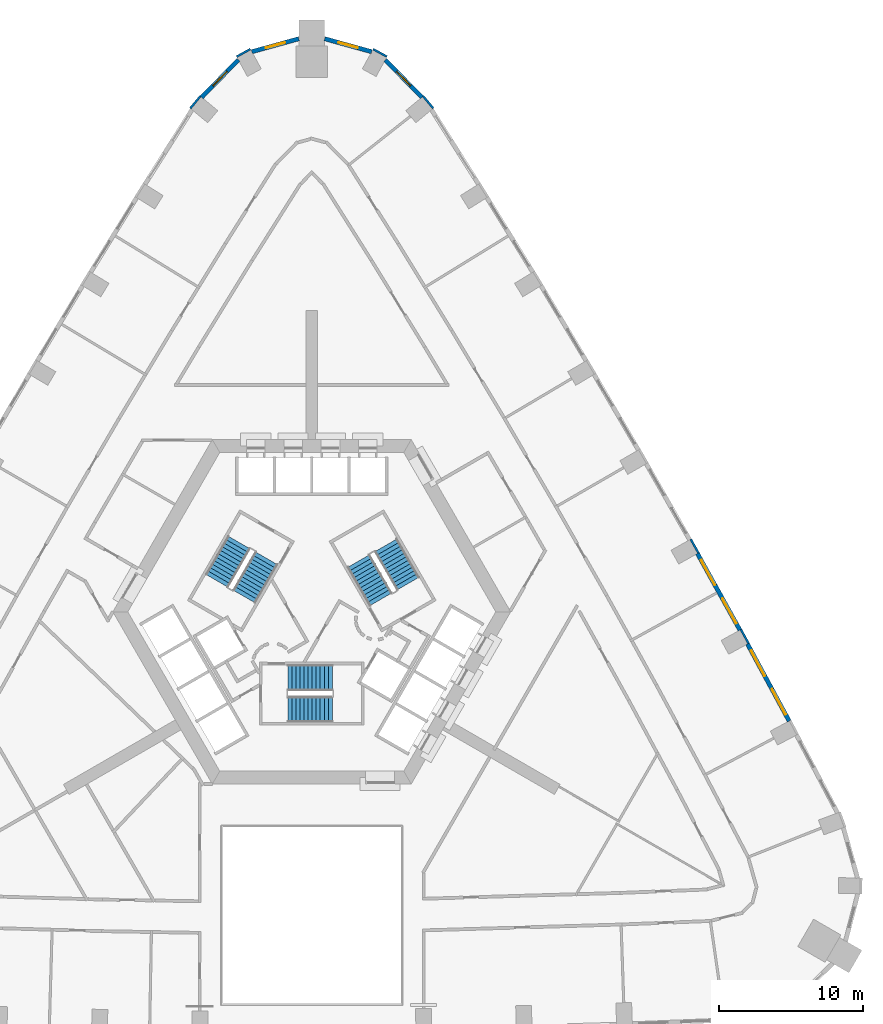
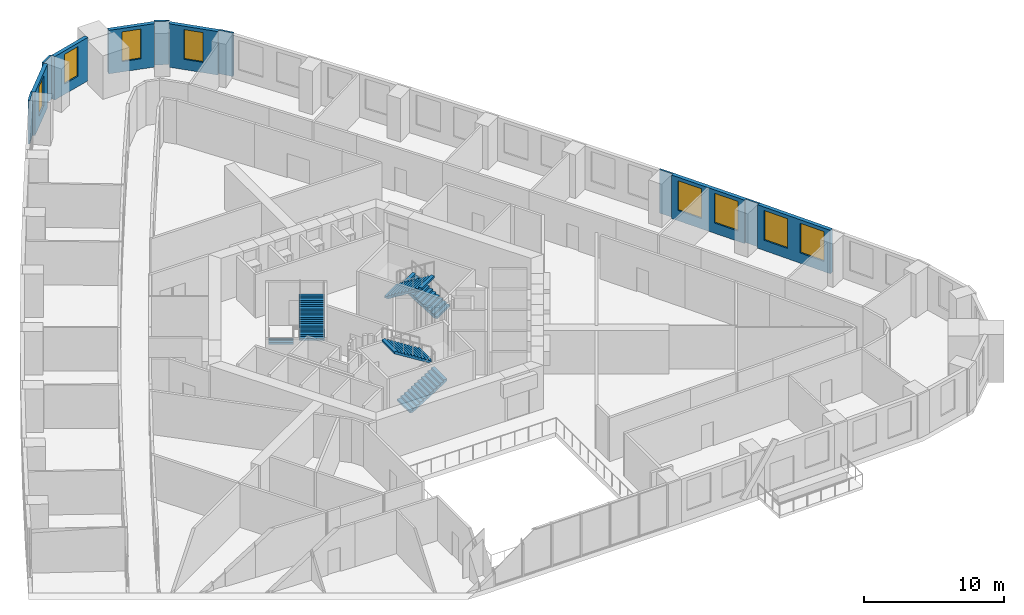
# One storey, part 12 of 14: 12 walls, 8 windows, 6 stair flights, 8 openings, 3 elements without a shape of their own.
"""IFC4 building model written with IfcOpenShell, lengths in metres."""

from ifc_helpers import new_model, si_unit, direction, frame, frame_2d, origin, place, context, subcontext, project, spatial, polyline, rectangle, outline, extrude, material, layer, layer_set, type_object, element, fill, aggregate, save


model = new_model("IFC4")

# Units and contexts
model_context = context("Model", 3, precision=1e-05, world=origin(), true_north=direction((0.0, 1.0)))
body_context = subcontext(model_context, "Body", "Model", "MODEL_VIEW")
ifc_project = project(units=[si_unit("LENGTHUNIT", "METRE"), si_unit("AREAUNIT", "SQUARE_METRE"), si_unit("VOLUMEUNIT", "CUBIC_METRE"), si_unit("PLANEANGLEUNIT", "RADIAN"), si_unit("MASSUNIT", "GRAM", prefix="KILO")], contexts=[model_context])

# Site, building, storey
site_placement = place(None, origin())
site = spatial("IfcSite", under=ifc_project, at=site_placement, CompositionType="ELEMENT")
building_placement = place(site_placement, origin())
building = spatial("IfcBuilding", under=site, at=building_placement, Name="Entoto Arch Interchange Tower", CompositionType="ELEMENT")
storey_placement = place(building_placement, frame((0.0, 0.0, 103.39990234375)))
storey = spatial("IfcBuildingStorey", under=building, at=storey_placement, Name="L22", CompositionType="ELEMENT", Elevation=103.39990234375)

# Wall, openings, windows
ifc_material_1 = material(Name="Welded tuff (ignimbrite) cladding, warm buff", Category="masonry")
ifc_layer_1 = layer(ifc_material_1, 0.300048828125)
ifc_layer_set_1 = layer_set([ifc_layer_1], Name="Welded tuff (ignimbrite) cladding, warm buff")
wall_type_1 = type_object("IfcWallType", Name="STONE INFILL WALL 300", PredefinedType="STANDARD", material=ifc_layer_set_1)
wall_1_placement = place(storey_placement, frame((33.260009765625, -5.10791015625, 0.0), z_axis=(0.0, 0.0, 1.0), x_axis=(-0.475573079782, 0.879676216449, 0.0)))
wall_1 = element("IfcWall", 1, at=wall_1_placement, inside=storey, type_object=wall_type_1, Name="Facade wall NE-02 L22", PredefinedType="STANDARD", context=body_context, shape_type="SweptSolid", body=[
    extrude(rectangle(XDim=6.1044921875, YDim=0.300048828125, at=frame_2d((3.05224609375, 0.0))), origin(), (0.0, 0.0, 1.0), 3.800048828125),
])
opening_1_placement = place(wall_1_placement, frame((0.52587890625, 0.0, 0.89990234375)))
opening_1 = element("IfcOpeningElement", 2, at=opening_1_placement, cuts=wall_1, Name="Opening WO-C", PredefinedType="OPENING", context=body_context, shape_type="SweptSolid", body=[
    extrude(rectangle(XDim=2.0, YDim=2.60009765625, at=frame_2d((1.0, 1.300048828125))), frame((0.0, 0.16015625, 0.0), z_axis=(0.0, -1.0, 0.0), x_axis=(1.0, 0.0, 0.0)), (0.0, 0.0, 1.0), 0.320068359375),
])
opening_2_placement = place(wall_1_placement, frame((3.577880859375, 0.0, 0.89990234375)))
opening_2 = element("IfcOpeningElement", 3, at=opening_2_placement, cuts=wall_1, Name="Opening WO-C", PredefinedType="OPENING", context=body_context, shape_type="SweptSolid", body=[
    extrude(rectangle(XDim=2.0, YDim=2.60009765625, at=frame_2d((1.0, 1.300048828125))), frame((0.0, 0.16015625, 0.0), z_axis=(0.0, -1.0, 0.0), x_axis=(1.0, 0.0, 0.0)), (0.0, 0.0, 1.0), 0.320068359375),
])
ifc_material_2 = material(Name="Clear glass, low-e double glazed", Category="glass")
window_type_1 = type_object("IfcWindowType", Name="WINDOW WO-C 2000x2600", PartitioningType="DOUBLE_PANEL_VERTICAL", PredefinedType="WINDOW", material=ifc_material_2)
window_1_placement = place(opening_1_placement, origin())
window_1 = element("IfcWindow", 4, at=window_1_placement, inside=storey, type_object=window_type_1, Name="Window WO-C NE-02 L22", OverallHeight=2.60009765625, OverallWidth=2.0, PartitioningType="SINGLE_PANEL", PredefinedType="WINDOW", context=body_context, shape_type="SweptSolid", body=[
    extrude(rectangle(XDim=2.0, YDim=2.60009765625, at=frame_2d((1.0, 1.300048828125))), frame((0.0, 0.030029296875, 0.0), z_axis=(0.0, -1.0, 0.0), x_axis=(1.0, 0.0, 0.0)), (0.0, 0.0, 1.0), 0.06005859375),
])
fill(opening_1, window_1)
window_2_placement = place(opening_2_placement, origin())
window_2 = element("IfcWindow", 5, at=window_2_placement, inside=storey, type_object=window_type_1, Name="Window WO-C NE-02 L22", OverallHeight=2.60009765625, OverallWidth=2.0, PartitioningType="SINGLE_PANEL", PredefinedType="WINDOW", context=body_context, shape_type="SweptSolid", body=[
    extrude(rectangle(XDim=2.0, YDim=2.60009765625, at=frame_2d((1.0, 1.300048828125))), frame((0.0, 0.030029296875, 0.0), z_axis=(0.0, -1.0, 0.0), x_axis=(1.0, 0.0, 0.0)), (0.0, 0.0, 1.0), 0.06005859375),
])
fill(opening_2, window_2)

wall_2_placement = place(storey_placement, frame((29.830078125, 1.22509765625, 0.0), z_axis=(0.0, 0.0, 1.0), x_axis=(-0.485170774404, 0.874419418623, 0.0)))
wall_2 = element("IfcWall", 6, at=wall_2_placement, inside=storey, type_object=wall_type_1, Name="Facade wall NE-03 L22", PredefinedType="STANDARD", context=body_context, shape_type="SweptSolid", body=[
    extrude(rectangle(XDim=6.103271484375, YDim=0.300048828125, at=frame_2d((3.0517578125, 0.0))), origin(), (0.0, 0.0, 1.0), 3.800048828125),
])
opening_3_placement = place(wall_2_placement, frame((0.52587890625, 0.0, 0.89990234375)))
opening_3 = element("IfcOpeningElement", 7, at=opening_3_placement, cuts=wall_2, Name="Opening WO-C", PredefinedType="OPENING", context=body_context, shape_type="SweptSolid", body=[
    extrude(rectangle(XDim=2.0, YDim=2.60009765625, at=frame_2d((1.0, 1.300048828125))), frame((0.0, 0.16015625, 0.0), z_axis=(0.0, -1.0, 0.0), x_axis=(1.0, 0.0, 0.0)), (0.0, 0.0, 1.0), 0.320068359375),
])
opening_4_placement = place(wall_2_placement, frame((3.577880859375, 0.0, 0.89990234375)))
opening_4 = element("IfcOpeningElement", 8, at=opening_4_placement, cuts=wall_2, Name="Opening WO-C", PredefinedType="OPENING", context=body_context, shape_type="SweptSolid", body=[
    extrude(rectangle(XDim=2.0, YDim=2.60009765625, at=frame_2d((1.0, 1.300048828125))), frame((0.0, 0.16015625, 0.0), z_axis=(0.0, -1.0, 0.0), x_axis=(1.0, 0.0, 0.0)), (0.0, 0.0, 1.0), 0.320068359375),
])
window_3_placement = place(opening_3_placement, origin())
window_3 = element("IfcWindow", 9, at=window_3_placement, inside=storey, type_object=window_type_1, Name="Window WO-C NE-03 L22", OverallHeight=2.60009765625, OverallWidth=2.0, PartitioningType="SINGLE_PANEL", PredefinedType="WINDOW", context=body_context, shape_type="SweptSolid", body=[
    extrude(rectangle(XDim=2.0, YDim=2.60009765625, at=frame_2d((1.0, 1.300048828125))), frame((0.0, 0.030029296875, 0.0), z_axis=(0.0, -1.0, 0.0), x_axis=(1.0, 0.0, 0.0)), (0.0, 0.0, 1.0), 0.06005859375),
])
fill(opening_3, window_3)
window_4_placement = place(opening_4_placement, origin())
window_4 = element("IfcWindow", 10, at=window_4_placement, inside=storey, type_object=window_type_1, Name="Window WO-C NE-03 L22", OverallHeight=2.60009765625, OverallWidth=2.0, PartitioningType="SINGLE_PANEL", PredefinedType="WINDOW", context=body_context, shape_type="SweptSolid", body=[
    extrude(rectangle(XDim=2.0, YDim=2.60009765625, at=frame_2d((1.0, 1.300048828125))), frame((0.0, 0.030029296875, 0.0), z_axis=(0.0, -1.0, 0.0), x_axis=(1.0, 0.0, 0.0)), (0.0, 0.0, 1.0), 0.06005859375),
])
fill(opening_4, window_4)

# Wall, opening, window
wall_3_placement = place(storey_placement, frame((7.66796875, 38.343017578125, 0.0), z_axis=(0.0, 0.0, 1.0), x_axis=(-0.698695735804, 0.715418946331, 0.0)))
wall_3 = element("IfcWall", 11, at=wall_3_placement, inside=storey, type_object=wall_type_1, Name="Facade wall N-01 L22", PredefinedType="STANDARD", context=body_context, shape_type="SweptSolid", body=[
    extrude(rectangle(XDim=3.649658203125, YDim=0.300048828125, at=frame_2d((1.82470703125, 0.0))), origin(), (0.0, 0.0, 1.0), 3.800048828125),
])
opening_5_placement = place(wall_3_placement, frame((1.125, 0.0, 0.89990234375)))
opening_5 = element("IfcOpeningElement", 12, at=opening_5_placement, cuts=wall_3, Name="Opening WO-B", PredefinedType="OPENING", context=body_context, shape_type="SweptSolid", body=[
    extrude(rectangle(XDim=1.39990234375, YDim=2.60009765625, at=frame_2d((0.699951171875, 1.300048828125))), frame((0.0, 0.16015625, 0.0), z_axis=(0.0, -1.0, 0.0), x_axis=(1.0, 0.0, 0.0)), (0.0, 0.0, 1.0), 0.320068359375),
])
window_type_2 = type_object("IfcWindowType", Name="WINDOW WO-B 1400x2600", PartitioningType="DOUBLE_PANEL_VERTICAL", PredefinedType="WINDOW", material=ifc_material_2)
window_5_placement = place(opening_5_placement, origin())
window_5 = element("IfcWindow", 13, at=window_5_placement, inside=storey, type_object=window_type_2, Name="Window WO-B N-01 L22", OverallHeight=2.60009765625, OverallWidth=1.39990234375, PartitioningType="SINGLE_PANEL", PredefinedType="WINDOW", context=body_context, shape_type="SweptSolid", body=[
    extrude(rectangle(XDim=1.39990234375, YDim=2.60009765625, at=frame_2d((0.699951171875, 1.300048828125))), frame((0.0, 0.030029296875, 0.0), z_axis=(0.0, -1.0, 0.0), x_axis=(1.0, 0.0, 0.0)), (0.0, 0.0, 1.0), 0.06005859375),
])
fill(opening_5, window_5)

wall_4_placement = place(storey_placement, frame((4.175048828125, 41.51708984375, 0.0), z_axis=(0.0, 0.0, 1.0), x_axis=(-0.963822898894, 0.266543466562, 0.0)))
wall_4 = element("IfcWall", 14, at=wall_4_placement, inside=storey, type_object=wall_type_1, Name="Facade wall N-02 L22", PredefinedType="STANDARD", context=body_context, shape_type="SweptSolid", body=[
    extrude(rectangle(XDim=3.399169921875, YDim=0.300048828125, at=frame_2d((1.69970703125, 0.0))), origin(), (0.0, 0.0, 1.0), 3.800048828125),
])
opening_6_placement = place(wall_4_placement, frame((0.9990234375, 0.0, 0.89990234375)))
opening_6 = element("IfcOpeningElement", 15, at=opening_6_placement, cuts=wall_4, Name="Opening WO-B", PredefinedType="OPENING", context=body_context, shape_type="SweptSolid", body=[
    extrude(rectangle(XDim=1.39990234375, YDim=2.60009765625, at=frame_2d((0.699951171875, 1.300048828125))), frame((0.0, 0.16015625, 0.0), z_axis=(0.0, -1.0, 0.0), x_axis=(1.0, 0.0, 0.0)), (0.0, 0.0, 1.0), 0.320068359375),
])
window_6_placement = place(opening_6_placement, origin())
window_6 = element("IfcWindow", 16, at=window_6_placement, inside=storey, type_object=window_type_2, Name="Window WO-B N-02 L22", OverallHeight=2.60009765625, OverallWidth=1.39990234375, PartitioningType="SINGLE_PANEL", PredefinedType="WINDOW", context=body_context, shape_type="SweptSolid", body=[
    extrude(rectangle(XDim=1.39990234375, YDim=2.60009765625, at=frame_2d((0.699951171875, 1.300048828125))), frame((0.0, 0.030029296875, 0.0), z_axis=(0.0, -1.0, 0.0), x_axis=(1.0, 0.0, 0.0)), (0.0, 0.0, 1.0), 0.06005859375),
])
fill(opening_6, window_6)

wall_5_placement = place(storey_placement, frame((-0.89892578125, 42.423095703125, 0.0), z_axis=(0.0, 0.0, 1.0), x_axis=(-0.963822898894, -0.266543466562, 0.0)))
wall_5 = element("IfcWall", 17, at=wall_5_placement, inside=storey, type_object=wall_type_1, Name="Facade wall N-03 L22", PredefinedType="STANDARD", context=body_context, shape_type="SweptSolid", body=[
    extrude(rectangle(XDim=3.399169921875, YDim=0.300048828125, at=frame_2d((1.69970703125, 0.0))), origin(), (0.0, 0.0, 1.0), 3.800048828125),
])
opening_7_placement = place(wall_5_placement, frame((0.9990234375, 0.0, 0.89990234375)))
opening_7 = element("IfcOpeningElement", 18, at=opening_7_placement, cuts=wall_5, Name="Opening WO-B", PredefinedType="OPENING", context=body_context, shape_type="SweptSolid", body=[
    extrude(rectangle(XDim=1.39990234375, YDim=2.60009765625, at=frame_2d((0.699951171875, 1.300048828125))), frame((0.0, 0.16015625, 0.0), z_axis=(0.0, -1.0, 0.0), x_axis=(1.0, 0.0, 0.0)), (0.0, 0.0, 1.0), 0.320068359375),
])
window_7_placement = place(opening_7_placement, origin())
window_7 = element("IfcWindow", 19, at=window_7_placement, inside=storey, type_object=window_type_2, Name="Window WO-B N-03 L22", OverallHeight=2.60009765625, OverallWidth=1.39990234375, PartitioningType="SINGLE_PANEL", PredefinedType="WINDOW", context=body_context, shape_type="SweptSolid", body=[
    extrude(rectangle(XDim=1.39990234375, YDim=2.60009765625, at=frame_2d((0.699951171875, 1.300048828125))), frame((0.0, 0.030029296875, 0.0), z_axis=(0.0, -1.0, 0.0), x_axis=(1.0, 0.0, 0.0)), (0.0, 0.0, 1.0), 0.06005859375),
])
fill(opening_7, window_7)

wall_6_placement = place(storey_placement, frame((-5.117919921875, 40.9541015625, 0.0), z_axis=(0.0, 0.0, 1.0), x_axis=(-0.698695735804, -0.715418946331, 0.0)))
wall_6 = element("IfcWall", 20, at=wall_6_placement, inside=storey, type_object=wall_type_1, Name="Facade wall N-04 L22", PredefinedType="STANDARD", context=body_context, shape_type="SweptSolid", body=[
    extrude(rectangle(XDim=3.649658203125, YDim=0.300048828125, at=frame_2d((1.82470703125, 0.0))), origin(), (0.0, 0.0, 1.0), 3.800048828125),
])
opening_8_placement = place(wall_6_placement, frame((1.125, 0.0, 0.89990234375)))
opening_8 = element("IfcOpeningElement", 21, at=opening_8_placement, cuts=wall_6, Name="Opening WO-B", PredefinedType="OPENING", context=body_context, shape_type="SweptSolid", body=[
    extrude(rectangle(XDim=1.39990234375, YDim=2.60009765625, at=frame_2d((0.699951171875, 1.300048828125))), frame((0.0, 0.16015625, 0.0), z_axis=(0.0, -1.0, 0.0), x_axis=(1.0, 0.0, 0.0)), (0.0, 0.0, 1.0), 0.320068359375),
])
window_8_placement = place(opening_8_placement, origin())
window_8 = element("IfcWindow", 22, at=window_8_placement, inside=storey, type_object=window_type_2, Name="Window WO-B N-04 L22", OverallHeight=2.60009765625, OverallWidth=1.39990234375, PartitioningType="SINGLE_PANEL", PredefinedType="WINDOW", context=body_context, shape_type="SweptSolid", body=[
    extrude(rectangle(XDim=1.39990234375, YDim=2.60009765625, at=frame_2d((0.699951171875, 1.300048828125))), frame((0.0, 0.030029296875, 0.0), z_axis=(0.0, -1.0, 0.0), x_axis=(1.0, 0.0, 0.0)), (0.0, 0.0, 1.0), 0.06005859375),
])
fill(opening_8, window_8)

# Walls
ifc_layer_2 = layer(ifc_material_1, 0.14990234375)
ifc_layer_set_2 = layer_set([ifc_layer_2], Name="Welded tuff (ignimbrite) cladding, warm buff")
wall_type_2 = type_object("IfcWallType", Name="STONE PIER CLADDING 150", PredefinedType="STANDARD", material=ifc_layer_set_2)
for number, where, z_axis, x_axis, name in (
    (23, (5.239013671875, 41.172119140625, 0.0), (0.0, 0.0, 1.0), (-0.877556336627, 0.479473540507, 0.0), "Stone pier N1 L22"),
    (24, (-4.27294921875, 41.699951171875, 0.0), (0.0, 0.0, 1.0), (-0.877556336627, -0.479473540507, 0.0), "Stone pier N3 L22"),
    (25, (30.426025390625, 0.298095703125, 0.0), (0.0, 0.0, 1.0), (-0.479737645119, 0.877411985247, 0.0), "Stone pier NE03 L22"),
):
    element("IfcWall", number, at=place(storey_placement, frame(where, z_axis=z_axis, x_axis=x_axis)), inside=storey, type_object=wall_type_2, Name=name, PredefinedType="STANDARD", context=body_context, shape_type="SweptSolid", body=[
        extrude(rectangle(XDim=1.100830078125, YDim=0.14990234375, at=frame_2d((0.55029296875, 0.0))), origin(), (0.0, 0.0, 1.0), 3.800048828125),
    ])
wall_7_placement = place(storey_placement, frame((26.93701171875, 6.60009765625, 0.0), z_axis=(0.0, 0.0, 1.0), x_axis=(-0.490008344094, 0.871717742574, 0.0)))
element("IfcWall", 26, at=wall_7_placement, inside=storey, type_object=wall_type_2, Name="Stone pier NE04 L22", PredefinedType="STANDARD", context=body_context, shape_type="SweptSolid", body=[
    extrude(rectangle(XDim=1.10009765625, YDim=0.14990234375, at=frame_2d((0.550048828125, 0.0))), origin(), (0.0, 0.0, 1.0), 3.800048828125),
])
for number, where, z_axis, x_axis, name in (
    (27, (8.4619140625, 37.573974609375, 0.0), (0.0, 0.0, 1.0), (-0.638544483078, 0.769584916127, 0.0), "Stone pier NE09 L22"),
    (28, (-7.760009765625, 38.419921875, 0.0), (0.0, 0.0, 1.0), (-0.638544483078, -0.769584916127, 0.0), "Stone pier NW01 L22"),
):
    element("IfcWall", number, at=place(storey_placement, frame(where, z_axis=z_axis, x_axis=x_axis)), inside=storey, type_object=wall_type_2, Name=name, PredefinedType="STANDARD", context=body_context, shape_type="SweptSolid", body=[
        extrude(rectangle(XDim=1.09912109375, YDim=0.14990234375, at=frame_2d((0.549560546875, 0.0))), origin(), (0.0, 0.0, 1.0), 3.800048828125),
    ])

# Stair, stair flights
ifc_material_3 = material(Name="Concrete C40/50", Category="concrete")
stair_type = type_object("IfcStairType", Name="EXIT STAIR RC 1800", PredefinedType="HALF_TURN_STAIR", material=ifc_material_3)
stair_1_placement = place(storey_placement, origin())
stair_1 = element("IfcStair", 29, at=stair_1_placement, inside=storey, type_object=stair_type, Name="L22 Exit stair S", PredefinedType="HALF_TURN_STAIR")
stair_flight_type = type_object("IfcStairFlightType", Name="EXIT STAIR FLIGHT RC 1800", PredefinedType="STRAIGHT", material=ifc_material_3)
stair_flight_1_placement = place(storey_placement, frame((-1.64990234375, -4.300048828125, 0.0), z_axis=(0.0, 0.0, 1.0), x_axis=(1.0, 0.0, 0.0)))
stair_flight_1 = element("IfcStairFlight", 30, at=stair_flight_1_placement, type_object=stair_flight_type, Name="ST-S flight 1", NumberOfRisers=12, NumberOfTreads=11, PredefinedType="STRAIGHT", RiserHeight=0.175, TreadLength=0.28, context=body_context, shape_type="SweptSolid", body=[
    extrude(outline(polyline([(-0.0029296875, 0.0), (-0.0029296875, 0.175048828125), (0.280029296875, 0.175048828125), (0.280029296875, 0.35009765625), (0.56005859375, 0.35009765625), (0.56005859375, 0.52490234375), (0.840087890625, 0.52490234375), (0.840087890625, 0.699951171875), (1.1201171875, 0.699951171875), (1.1201171875, 0.875), (1.39990234375, 0.875), (1.39990234375, 1.050048828125), (1.679931640625, 1.050048828125), (1.679931640625, 1.22509765625), (1.9599609375, 1.22509765625), (1.9599609375, 1.39990234375), (2.239990234375, 1.39990234375), (2.239990234375, 1.574951171875), (2.52001953125, 1.574951171875), (2.52001953125, 1.75), (2.800048828125, 1.75), (2.800048828125, 1.925048828125), (3.080078125, 1.925048828125), (3.0830078125, 1.925048828125), (3.0830078125, 1.75), (0.28271484375, 0.0), (-0.0029296875, 0.0)])), frame((0.0, 0.89990234375, 0.0), z_axis=(0.0, -1.0, 0.0), x_axis=(1.0, 0.0, 0.0)), (0.0, 0.0, 1.0), 1.800048828125),
])
stair_flight_2_placement = place(storey_placement, frame((1.429931640625, -2.10009765625, 2.10009765625), z_axis=(0.0, 0.0, 1.0), x_axis=(-1.0, 0.0, 0.0)))
stair_flight_2 = element("IfcStairFlight", 31, at=stair_flight_2_placement, type_object=stair_flight_type, Name="ST-S flight 2", NumberOfRisers=12, NumberOfTreads=11, PredefinedType="STRAIGHT", RiserHeight=0.175, TreadLength=0.28, context=body_context, shape_type="SweptSolid", body=[
    extrude(outline(polyline([(-0.0029296875, 0.0), (-0.0029296875, 0.175048828125), (0.280029296875, 0.175048828125), (0.280029296875, 0.35009765625), (0.56005859375, 0.35009765625), (0.56005859375, 0.52490234375), (0.840087890625, 0.52490234375), (0.840087890625, 0.699951171875), (1.1201171875, 0.699951171875), (1.1201171875, 0.875), (1.39990234375, 0.875), (1.39990234375, 1.050048828125), (1.679931640625, 1.050048828125), (1.679931640625, 1.22509765625), (1.9599609375, 1.22509765625), (1.9599609375, 1.39990234375), (2.239990234375, 1.39990234375), (2.239990234375, 1.574951171875), (2.52001953125, 1.574951171875), (2.52001953125, 1.75), (2.800048828125, 1.75), (2.800048828125, 1.925048828125), (3.080078125, 1.925048828125), (3.0830078125, 1.925048828125), (3.0830078125, 1.75), (0.28271484375, 0.0), (-0.0029296875, 0.0)])), frame((0.0, 0.89990234375, 0.0), z_axis=(0.0, -1.0, 0.0), x_axis=(1.0, 0.0, 0.0)), (0.0, 0.0, 1.0), 1.800048828125),
])
aggregate(stair_1, [stair_flight_1, stair_flight_2])

stair_2_placement = place(storey_placement, origin())
stair_2 = element("IfcStair", 32, at=stair_2_placement, inside=storey, type_object=stair_type, Name="L22 Exit stair NE", PredefinedType="HALF_TURN_STAIR")
stair_flight_3_placement = place(storey_placement, frame((6.7138671875, 4.470947265625, 0.0), z_axis=(0.0, 0.0, 1.0), x_axis=(-0.5, 0.866025403784, 0.0)))
stair_flight_3 = element("IfcStairFlight", 33, at=stair_flight_3_placement, type_object=stair_flight_type, Name="ST-NE flight 1", NumberOfRisers=12, NumberOfTreads=11, PredefinedType="STRAIGHT", RiserHeight=0.175, TreadLength=0.28, context=body_context, shape_type="SweptSolid", body=[
    extrude(outline(polyline([(-0.0029296875, 0.0), (-0.0029296875, 0.175048828125), (0.280029296875, 0.175048828125), (0.280029296875, 0.35009765625), (0.56005859375, 0.35009765625), (0.56005859375, 0.52490234375), (0.840087890625, 0.52490234375), (0.840087890625, 0.699951171875), (1.1201171875, 0.699951171875), (1.1201171875, 0.875), (1.39990234375, 0.875), (1.39990234375, 1.050048828125), (1.679931640625, 1.050048828125), (1.679931640625, 1.22509765625), (1.9599609375, 1.22509765625), (1.9599609375, 1.39990234375), (2.239990234375, 1.39990234375), (2.239990234375, 1.574951171875), (2.52001953125, 1.574951171875), (2.52001953125, 1.75), (2.800048828125, 1.75), (2.800048828125, 1.925048828125), (3.080078125, 1.925048828125), (3.0830078125, 1.925048828125), (3.0830078125, 1.75), (0.28271484375, 0.0), (-0.0029296875, 0.0)])), frame((0.0, 0.89990234375, 0.0), z_axis=(0.0, -1.0, 0.0), x_axis=(1.0, 0.0, 0.0)), (0.0, 0.0, 1.0), 1.800048828125),
])
stair_flight_4_placement = place(storey_placement, frame((3.268798828125, 6.038330078125, 2.10009765625), z_axis=(0.0, 0.0, 1.0), x_axis=(0.5, -0.866025403784, 0.0)))
stair_flight_4 = element("IfcStairFlight", 34, at=stair_flight_4_placement, type_object=stair_flight_type, Name="ST-NE flight 2", NumberOfRisers=12, NumberOfTreads=11, PredefinedType="STRAIGHT", RiserHeight=0.175, TreadLength=0.28, context=body_context, shape_type="SweptSolid", body=[
    extrude(outline(polyline([(-0.0029296875, 0.0), (-0.0029296875, 0.175048828125), (0.280029296875, 0.175048828125), (0.280029296875, 0.35009765625), (0.56005859375, 0.35009765625), (0.56005859375, 0.52490234375), (0.840087890625, 0.52490234375), (0.840087890625, 0.699951171875), (1.1201171875, 0.699951171875), (1.1201171875, 0.875), (1.39990234375, 0.875), (1.39990234375, 1.050048828125), (1.679931640625, 1.050048828125), (1.679931640625, 1.22509765625), (1.9599609375, 1.22509765625), (1.9599609375, 1.39990234375), (2.239990234375, 1.39990234375), (2.239990234375, 1.574951171875), (2.52001953125, 1.574951171875), (2.52001953125, 1.75), (2.800048828125, 1.75), (2.800048828125, 1.925048828125), (3.080078125, 1.925048828125), (3.0830078125, 1.925048828125), (3.0830078125, 1.75), (0.28271484375, 0.0), (-0.0029296875, 0.0)])), frame((0.0, 0.89990234375, 0.0), z_axis=(0.0, -1.0, 0.0), x_axis=(1.0, 0.0, 0.0)), (0.0, 0.0, 1.0), 1.800048828125),
])
aggregate(stair_2, [stair_flight_3, stair_flight_4])

stair_3_placement = place(storey_placement, origin())
stair_3 = element("IfcStair", 35, at=stair_3_placement, inside=storey, type_object=stair_type, Name="L22 Exit stair NW", PredefinedType="HALF_TURN_STAIR")
stair_flight_5_placement = place(storey_placement, frame((-5.06396484375, 7.328857421875, 0.0), z_axis=(0.0, 0.0, 1.0), x_axis=(-0.5, -0.866025403784, 0.0)))
stair_flight_5 = element("IfcStairFlight", 36, at=stair_flight_5_placement, type_object=stair_flight_type, Name="ST-NW flight 1", NumberOfRisers=12, NumberOfTreads=11, PredefinedType="STRAIGHT", RiserHeight=0.175, TreadLength=0.28, context=body_context, shape_type="SweptSolid", body=[
    extrude(outline(polyline([(-0.0029296875, 0.0), (-0.0029296875, 0.175048828125), (0.280029296875, 0.175048828125), (0.280029296875, 0.35009765625), (0.56005859375, 0.35009765625), (0.56005859375, 0.52490234375), (0.840087890625, 0.52490234375), (0.840087890625, 0.699951171875), (1.1201171875, 0.699951171875), (1.1201171875, 0.875), (1.39990234375, 0.875), (1.39990234375, 1.050048828125), (1.679931640625, 1.050048828125), (1.679931640625, 1.22509765625), (1.9599609375, 1.22509765625), (1.9599609375, 1.39990234375), (2.239990234375, 1.39990234375), (2.239990234375, 1.574951171875), (2.52001953125, 1.574951171875), (2.52001953125, 1.75), (2.800048828125, 1.75), (2.800048828125, 1.925048828125), (3.080078125, 1.925048828125), (3.0830078125, 1.925048828125), (3.0830078125, 1.75), (0.28271484375, 0.0), (-0.0029296875, 0.0)])), frame((0.0, 0.89990234375, 0.0), z_axis=(0.0, -1.0, 0.0), x_axis=(1.0, 0.0, 0.0)), (0.0, 0.0, 1.0), 1.800048828125),
])
stair_flight_6_placement = place(storey_placement, frame((-4.69873046875, 3.5615234375, 2.10009765625), z_axis=(0.0, 0.0, 1.0), x_axis=(0.5, 0.866025403784, 0.0)))
stair_flight_6 = element("IfcStairFlight", 37, at=stair_flight_6_placement, type_object=stair_flight_type, Name="ST-NW flight 2", NumberOfRisers=12, NumberOfTreads=11, PredefinedType="STRAIGHT", RiserHeight=0.175, TreadLength=0.28, context=body_context, shape_type="SweptSolid", body=[
    extrude(outline(polyline([(-0.0029296875, 0.0), (-0.0029296875, 0.175048828125), (0.280029296875, 0.175048828125), (0.280029296875, 0.35009765625), (0.56005859375, 0.35009765625), (0.56005859375, 0.52490234375), (0.840087890625, 0.52490234375), (0.840087890625, 0.699951171875), (1.1201171875, 0.699951171875), (1.1201171875, 0.875), (1.39990234375, 0.875), (1.39990234375, 1.050048828125), (1.679931640625, 1.050048828125), (1.679931640625, 1.22509765625), (1.9599609375, 1.22509765625), (1.9599609375, 1.39990234375), (2.239990234375, 1.39990234375), (2.239990234375, 1.574951171875), (2.52001953125, 1.574951171875), (2.52001953125, 1.75), (2.800048828125, 1.75), (2.800048828125, 1.925048828125), (3.080078125, 1.925048828125), (3.0830078125, 1.925048828125), (3.0830078125, 1.75), (0.28271484375, 0.0), (-0.0029296875, 0.0)])), frame((0.0, 0.89990234375, 0.0), z_axis=(0.0, -1.0, 0.0), x_axis=(1.0, 0.0, 0.0)), (0.0, 0.0, 1.0), 1.800048828125),
])
aggregate(stair_3, [stair_flight_5, stair_flight_6])

save(model, "model.ifc")
